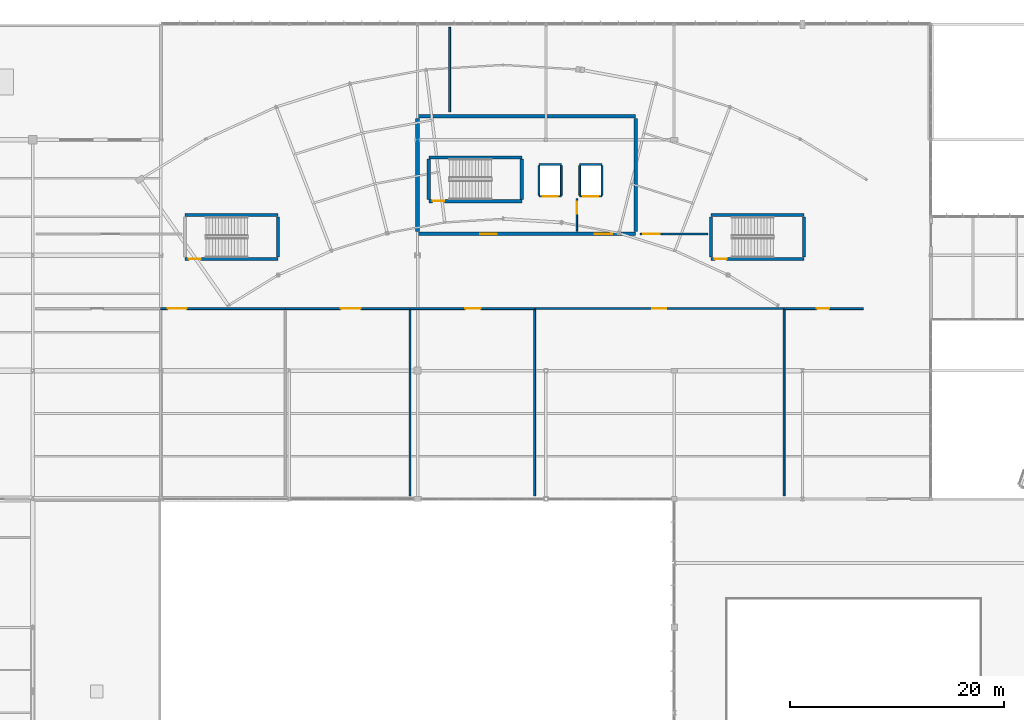
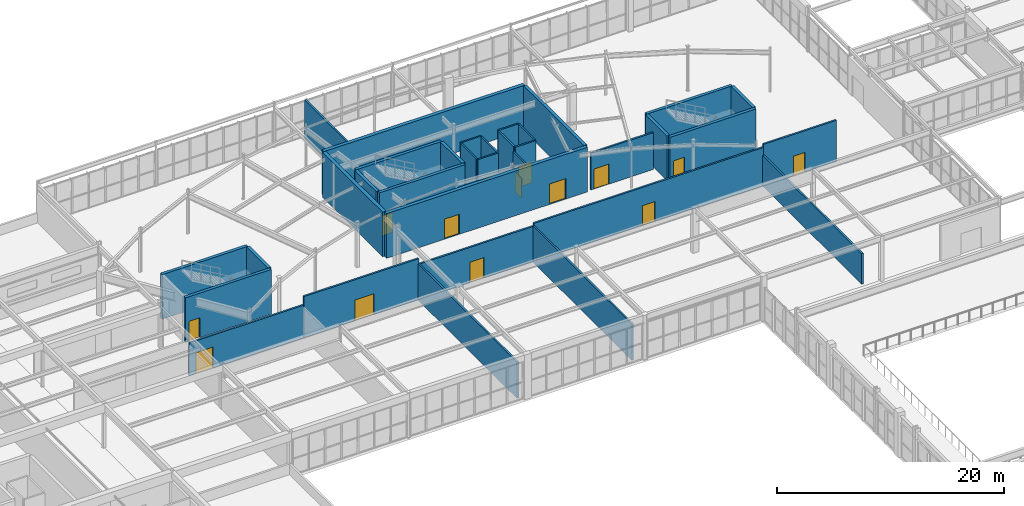
# One storey, part 160 of 186: 34 walls, 14 doors, 14 openings.
"""IFC4 building model written with IfcOpenShell, lengths in metres."""

from ifc_helpers import new_model, si_unit, direction, frame, frame_2d, origin, place, context, subcontext, project, spatial, rectangle, extrude, material, layer, layer_set, type_object, element, fill, save


model = new_model("IFC4")

# Units and contexts
model_context = context("Model", 3, precision=1e-05, world=origin(), true_north=direction((0.0, 1.0)))
body_context = subcontext(model_context, "Body", "Model", "MODEL_VIEW")
ifc_project = project(units=[si_unit("LENGTHUNIT", "METRE"), si_unit("AREAUNIT", "SQUARE_METRE"), si_unit("VOLUMEUNIT", "CUBIC_METRE"), si_unit("PLANEANGLEUNIT", "RADIAN"), si_unit("MASSUNIT", "GRAM", prefix="KILO")], contexts=[model_context])

# Site, building, storey
site_placement = place(None, origin())
site = spatial("IfcSite", under=ifc_project, at=site_placement, CompositionType="ELEMENT")
building_placement = place(site_placement, origin())
building = spatial("IfcBuilding", under=site, at=building_placement, Name="Tarnwether General Hospital", CompositionType="ELEMENT")
storey_placement = place(building_placement, frame((0.0, 0.0, 9.60009765625)))
storey = spatial("IfcBuildingStorey", under=building, at=storey_placement, Name="L02", CompositionType="ELEMENT", Elevation=9.60009765625)

# Wall, opening, door
ifc_material_1 = material(Name="Gypsum plasterboard")
ifc_layer_1 = layer(ifc_material_1, 0.159912109375)
ifc_layer_set_1 = layer_set([ifc_layer_1], Name="Gypsum plasterboard")
wall_type_1 = type_object("IfcWallType", Name="WL-PT160", PredefinedType="PARTITIONING", material=ifc_layer_set_1)
wall_1_placement = place(storey_placement, frame((95.360107421875, 109.909912109375, 0.0), z_axis=(0.0, 0.0, 1.0), x_axis=(1.0, 0.0, 0.0)))
wall_1 = element("IfcWall", 1, at=wall_1_placement, inside=storey, type_object=wall_type_1, Name="Lift L-01 Shaft Wall LSH-L-01-L02-S", PredefinedType="PARTITIONING", context=body_context, shape_type="SweptSolid", body=[
    extrude(rectangle(XDim=2.079833984375, YDim=0.159912109375, at=frame_2d((1.0400390625, 0.0))), origin(), (0.0, 0.0, 1.0), 4.429931640625),
])
opening_1_placement = place(wall_1_placement, frame((0.340087890625, 0.0, 0.0)))
opening_1 = element("IfcOpeningElement", 2, at=opening_1_placement, cuts=wall_1, Name="Opening LD-01", PredefinedType="OPENING", context=body_context, shape_type="SweptSolid", body=[
    extrude(rectangle(XDim=1.39990234375, YDim=2.199951171875, at=frame_2d((0.699951171875, 1.10009765625))), frame((0.0, 0.08984375, 0.0), z_axis=(0.0, -1.0, 0.0), x_axis=(1.0, 0.0, 0.0)), (0.0, 0.0, 1.0), 0.179931640625),
])
ifc_material_2 = material(Name="Anodised aluminium", Category="aluminium")
door_type_1 = type_object("IfcDoorType", Name="DR-LD01", OperationType="NOTDEFINED", PredefinedType="DOOR", material=ifc_material_2)
door_1_placement = place(opening_1_placement, origin())
door_1 = element("IfcDoor", 3, at=door_1_placement, inside=storey, type_object=door_type_1, Name="Lift L-01 Sliding Landing Door L02", OperationType="SLIDING_TO_RIGHT", OverallHeight=2.199951171875, OverallWidth=1.39990234375, PredefinedType="DOOR", context=body_context, shape_type="SweptSolid", body=[
    extrude(rectangle(XDim=1.39990234375, YDim=2.199951171875, at=frame_2d((0.699951171875, 1.10009765625))), frame((0.0, 0.02490234375, 0.0), z_axis=(0.0, -1.0, 0.0), x_axis=(1.0, 0.0, 0.0)), (0.0, 0.0, 1.0), 0.050048828125),
])
fill(opening_1, door_1)

# Walls
wall_2_placement = place(storey_placement, frame((97.43994140625, 112.889892578125, 0.0), z_axis=(0.0, 0.0, 1.0), x_axis=(-1.0, 0.0, 0.0)))
element("IfcWall", 4, at=wall_2_placement, inside=storey, type_object=wall_type_1, Name="Lift L-01 Shaft Wall LSH-L-01-L02-N", PredefinedType="PARTITIONING", context=body_context, shape_type="SweptSolid", body=[
    extrude(rectangle(XDim=2.079833984375, YDim=0.159912109375, at=frame_2d((1.0400390625, 0.0))), origin(), (0.0, 0.0, 1.0), 4.429931640625),
])
for number, where, z_axis, x_axis, name in (
    (5, (95.360107421875, 112.7900390625, 0.0), (0.0, 0.0, 1.0), (0.0, -1.0, 0.0), "Lift L-01 Shaft Wall LSH-L-01-L02-W"),
    (6, (97.43994140625, 110.010009765625, 0.0), (0.0, 0.0, 1.0), (0.0, 1.0, 0.0), "Lift L-01 Shaft Wall LSH-L-01-L02-E"),
):
    element("IfcWall", number, at=place(storey_placement, frame(where, z_axis=z_axis, x_axis=x_axis)), inside=storey, type_object=wall_type_1, Name=name, PredefinedType="PARTITIONING", context=body_context, shape_type="SweptSolid", body=[
        extrude(rectangle(XDim=2.780029296875, YDim=0.159912109375, at=frame_2d((1.39013671875, 0.0))), origin(), (0.0, 0.0, 1.0), 4.429931640625),
    ])

# Wall, opening, door
wall_3_placement = place(storey_placement, frame((99.159912109375, 109.909912109375, 0.0), z_axis=(0.0, 0.0, 1.0), x_axis=(1.0, 0.0, 0.0)))
wall_3 = element("IfcWall", 7, at=wall_3_placement, inside=storey, type_object=wall_type_1, Name="Lift L-03 Shaft Wall LSH-L-03-L02-S", PredefinedType="PARTITIONING", context=body_context, shape_type="SweptSolid", body=[
    extrude(rectangle(XDim=2.080078125, YDim=0.159912109375, at=frame_2d((1.0400390625, 0.0))), origin(), (0.0, 0.0, 1.0), 4.429931640625),
])
opening_2_placement = place(wall_3_placement, frame((0.340087890625, 0.0, 0.0)))
opening_2 = element("IfcOpeningElement", 8, at=opening_2_placement, cuts=wall_3, Name="Opening LD-01", PredefinedType="OPENING", context=body_context, shape_type="SweptSolid", body=[
    extrude(rectangle(XDim=1.39990234375, YDim=2.199951171875, at=frame_2d((0.699951171875, 1.10009765625))), frame((0.0, 0.08984375, 0.0), z_axis=(0.0, -1.0, 0.0), x_axis=(1.0, 0.0, 0.0)), (0.0, 0.0, 1.0), 0.179931640625),
])
door_2_placement = place(opening_2_placement, origin())
door_2 = element("IfcDoor", 9, at=door_2_placement, inside=storey, type_object=door_type_1, Name="Lift L-03 Sliding Landing Door L02", OperationType="SLIDING_TO_RIGHT", OverallHeight=2.199951171875, OverallWidth=1.39990234375, PredefinedType="DOOR", context=body_context, shape_type="SweptSolid", body=[
    extrude(rectangle(XDim=1.39990234375, YDim=2.199951171875, at=frame_2d((0.699951171875, 1.10009765625))), frame((0.0, 0.02490234375, 0.0), z_axis=(0.0, -1.0, 0.0), x_axis=(1.0, 0.0, 0.0)), (0.0, 0.0, 1.0), 0.050048828125),
])
fill(opening_2, door_2)

# Walls
wall_4_placement = place(storey_placement, frame((101.239990234375, 112.889892578125, 0.0), z_axis=(0.0, 0.0, 1.0), x_axis=(-1.0, 0.0, 0.0)))
element("IfcWall", 10, at=wall_4_placement, inside=storey, type_object=wall_type_1, Name="Lift L-03 Shaft Wall LSH-L-03-L02-N", PredefinedType="PARTITIONING", context=body_context, shape_type="SweptSolid", body=[
    extrude(rectangle(XDim=2.080078125, YDim=0.159912109375, at=frame_2d((1.0400390625, 0.0))), origin(), (0.0, 0.0, 1.0), 4.429931640625),
])
for number, where, z_axis, x_axis, name in (
    (11, (99.159912109375, 112.7900390625, 0.0), (0.0, 0.0, 1.0), (0.0, -1.0, 0.0), "Lift L-03 Shaft Wall LSH-L-03-L02-W"),
    (12, (101.239990234375, 110.010009765625, 0.0), (0.0, 0.0, 1.0), (0.0, 1.0, 0.0), "Lift L-03 Shaft Wall LSH-L-03-L02-E"),
):
    element("IfcWall", number, at=place(storey_placement, frame(where, z_axis=z_axis, x_axis=x_axis)), inside=storey, type_object=wall_type_1, Name=name, PredefinedType="PARTITIONING", context=body_context, shape_type="SweptSolid", body=[
        extrude(rectangle(XDim=2.780029296875, YDim=0.159912109375, at=frame_2d((1.39013671875, 0.0))), origin(), (0.0, 0.0, 1.0), 4.429931640625),
    ])

# Wall, opening, door
wall_5_placement = place(storey_placement, frame((98.89990234375, 106.64990234375, 0.0), z_axis=(0.0, 0.0, 1.0), x_axis=(0.0, 1.0, 0.0)))
wall_5 = element("IfcWall", 13, at=wall_5_placement, inside=storey, type_object=wall_type_1, Name="Firefighting Lobby Divider K1 L02", PredefinedType="PARTITIONING", context=body_context, shape_type="SweptSolid", body=[
    extrude(rectangle(XDim=3.050048828125, YDim=0.159912109375, at=frame_2d((1.52490234375, 0.0))), origin(), (0.0, 0.0, 1.0), 4.164794921875),
])
opening_3_placement = place(wall_5_placement, frame((1.6298828125, 0.0, 0.0)))
opening_3 = element("IfcOpeningElement", 14, at=opening_3_placement, cuts=wall_5, Name="Opening FD-06", PredefinedType="OPENING", context=body_context, shape_type="SweptSolid", body=[
    extrude(rectangle(XDim=1.10009765625, YDim=2.14990234375, at=frame_2d((0.550048828125, 1.074951171875))), frame((0.0, 0.08984375, 0.0), z_axis=(0.0, -1.0, 0.0), x_axis=(1.0, 0.0, 0.0)), (0.0, 0.0, 1.0), 0.179931640625),
])
ifc_material_3 = material(Name="Anodised aluminium", Category="aluminium")
door_type_2 = type_object("IfcDoorType", Name="DR-FD06", OperationType="NOTDEFINED", PredefinedType="DOOR", material=ifc_material_3)
door_3_placement = place(opening_3_placement, origin())
door_3 = element("IfcDoor", 15, at=door_3_placement, inside=storey, type_object=door_type_2, Name="Core K1 Inter-Lobby Smoke Door L02", OperationType="SINGLE_SWING_RIGHT", OverallHeight=2.14990234375, OverallWidth=1.10009765625, PredefinedType="DOOR", context=body_context, shape_type="SweptSolid", body=[
    extrude(rectangle(XDim=1.10009765625, YDim=2.14990234375, at=frame_2d((0.550048828125, 1.074951171875))), frame((0.0, 0.02490234375, 0.0), z_axis=(0.0, -1.0, 0.0), x_axis=(1.0, 0.0, 0.0)), (0.0, 0.0, 1.0), 0.050048828125),
])
fill(opening_3, door_3)

ifc_material_4 = material(Name="Gypsum plasterboard")
ifc_layer_2 = layer(ifc_material_4, 0.179931640625)
ifc_layer_set_2 = layer_set([ifc_layer_2], Name="Gypsum plasterboard")
wall_type_2 = type_object("IfcWallType", Name="WL-PT180", PredefinedType="PARTITIONING", material=ifc_layer_set_2)
wall_6_placement = place(storey_placement, frame((59.962890625, 99.39990234375, 0.0), z_axis=(0.0, 0.0, 1.0), x_axis=(1.0, 0.0, 0.0)))
wall_6 = element("IfcWall", 16, at=wall_6_placement, inside=storey, type_object=wall_type_2, Name="Interior Partition PT-L02-0258", PredefinedType="PARTITIONING", context=body_context, shape_type="SweptSolid", body=[
    extrude(rectangle(XDim=11.6630859375, YDim=0.179931640625, at=frame_2d((5.83154296875, 0.0))), origin(), (0.0, 0.0, 1.0), 3.514892578125),
])
opening_4_placement = place(wall_6_placement, frame((0.677001953125, 0.0, 0.0)))
opening_4 = element("IfcOpeningElement", 17, at=opening_4_placement, cuts=wall_6, Name="Opening FD-07", PredefinedType="OPENING", context=body_context, shape_type="SweptSolid", body=[
    extrude(rectangle(XDim=1.75, YDim=2.25, at=frame_2d((0.875, 1.125))), frame((0.0, 0.10009765625, 0.0), z_axis=(0.0, -1.0, 0.0), x_axis=(1.0, 0.0, 0.0)), (0.0, 0.0, 1.0), 0.199951171875),
])
ifc_material_5 = material(Name="Anodised aluminium", Category="aluminium")
door_type_3 = type_object("IfcDoorType", Name="DR-FD07", OperationType="NOTDEFINED", PredefinedType="DOOR", material=ifc_material_5)
door_4_placement = place(opening_4_placement, origin())
door_4 = element("IfcDoor", 18, at=door_4_placement, inside=storey, type_object=door_type_3, Name="Interior Door DR-L02-0143", OperationType="DOUBLE_DOOR_SINGLE_SWING", OverallHeight=2.25, OverallWidth=1.75, PredefinedType="DOOR", context=body_context, shape_type="SweptSolid", body=[
    extrude(rectangle(XDim=1.75, YDim=2.25, at=frame_2d((0.875, 1.125))), frame((0.0, 0.02490234375, 0.0), z_axis=(0.0, -1.0, 0.0), x_axis=(1.0, 0.0, 0.0)), (0.0, 0.0, 1.0), 0.050048828125),
])
fill(opening_4, door_4)

wall_7_placement = place(storey_placement, frame((71.6259765625, 99.39990234375, 0.0), z_axis=(0.0, 0.0, 1.0), x_axis=(1.0, 0.0, 0.0)))
wall_7 = element("IfcWall", 19, at=wall_7_placement, inside=storey, type_object=wall_type_2, Name="Interior Partition PT-L02-0260", PredefinedType="PARTITIONING", context=body_context, shape_type="SweptSolid", body=[
    extrude(rectangle(XDim=11.6630859375, YDim=0.179931640625, at=frame_2d((5.83154296875, 0.0))), origin(), (0.0, 0.0, 1.0), 4.429931640625),
])
opening_5_placement = place(wall_7_placement, frame((5.181884765625, 0.0, 0.0)))
opening_5 = element("IfcOpeningElement", 20, at=opening_5_placement, cuts=wall_7, Name="Opening FD-08", PredefinedType="OPENING", context=body_context, shape_type="SweptSolid", body=[
    extrude(rectangle(XDim=1.89990234375, YDim=2.25, at=frame_2d((0.949951171875, 1.125))), frame((0.0, 0.10009765625, 0.0), z_axis=(0.0, -1.0, 0.0), x_axis=(1.0, 0.0, 0.0)), (0.0, 0.0, 1.0), 0.199951171875),
])
ifc_material_6 = material(Name="Anodised aluminium", Category="aluminium")
door_type_4 = type_object("IfcDoorType", Name="DR-FD08", OperationType="NOTDEFINED", PredefinedType="DOOR", material=ifc_material_6)
door_5_placement = place(opening_5_placement, origin())
door_5 = element("IfcDoor", 21, at=door_5_placement, inside=storey, type_object=door_type_4, Name="Interior Door DR-L02-0144", OperationType="DOUBLE_DOOR_SINGLE_SWING", OverallHeight=2.25, OverallWidth=1.89990234375, PredefinedType="DOOR", context=body_context, shape_type="SweptSolid", body=[
    extrude(rectangle(XDim=1.89990234375, YDim=2.25, at=frame_2d((0.949951171875, 1.125))), frame((0.0, 0.02490234375, 0.0), z_axis=(0.0, -1.0, 0.0), x_axis=(1.0, 0.0, 0.0)), (0.0, 0.0, 1.0), 0.050048828125),
])
fill(opening_5, door_5)

# Wall
wall_8_placement = place(storey_placement, frame((83.2890625, 81.89990234375, 0.0), z_axis=(0.0, 0.0, 1.0), x_axis=(0.0, 1.0, 0.0)))
element("IfcWall", 22, at=wall_8_placement, inside=storey, type_object=wall_type_2, Name="Interior Partition PT-L02-0261", PredefinedType="PARTITIONING", context=body_context, shape_type="SweptSolid", body=[
    extrude(rectangle(XDim=17.5, YDim=0.179931640625, at=frame_2d((8.75, 0.0))), origin(), (0.0, 0.0, 1.0), 3.885009765625),
])

# Wall, opening, door
wall_9_placement = place(storey_placement, frame((83.2890625, 99.39990234375, 0.0), z_axis=(0.0, 0.0, 1.0), x_axis=(1.0, 0.0, 0.0)))
wall_9 = element("IfcWall", 23, at=wall_9_placement, inside=storey, type_object=wall_type_2, Name="Interior Partition PT-L02-0262", PredefinedType="PARTITIONING", context=body_context, shape_type="SweptSolid", body=[
    extrude(rectangle(XDim=11.662841796875, YDim=0.179931640625, at=frame_2d((5.83154296875, 0.0))), origin(), (0.0, 0.0, 1.0), 3.81298828125),
])
opening_6_placement = place(wall_9_placement, frame((5.181884765625, 0.0, 0.0)))
opening_6 = element("IfcOpeningElement", 24, at=opening_6_placement, cuts=wall_9, Name="Opening D-01", PredefinedType="OPENING", context=body_context, shape_type="SweptSolid", body=[
    extrude(rectangle(XDim=1.419921875, YDim=2.219970703125, at=frame_2d((0.7099609375, 1.10986328125))), frame((0.0, 0.10009765625, 0.0), z_axis=(0.0, -1.0, 0.0), x_axis=(1.0, 0.0, 0.0)), (0.0, 0.0, 1.0), 0.199951171875),
])
ifc_material_7 = material(Name="Anodised aluminium", Category="aluminium")
door_type_5 = type_object("IfcDoorType", Name="DR-IN01", OperationType="NOTDEFINED", PredefinedType="DOOR", material=ifc_material_7)
door_6_placement = place(opening_6_placement, origin())
door_6 = element("IfcDoor", 25, at=door_6_placement, inside=storey, type_object=door_type_5, Name="Interior Door DR-L02-0145", OperationType="SINGLE_SWING_LEFT", OverallHeight=2.219970703125, OverallWidth=1.419921875, PredefinedType="DOOR", context=body_context, shape_type="SweptSolid", body=[
    extrude(rectangle(XDim=1.419921875, YDim=2.219970703125, at=frame_2d((0.7099609375, 1.10986328125))), frame((0.0, 0.02490234375, 0.0), z_axis=(0.0, -1.0, 0.0), x_axis=(1.0, 0.0, 0.0)), (0.0, 0.0, 1.0), 0.050048828125),
])
fill(opening_6, door_6)

# Wall
wall_10_placement = place(storey_placement, frame((94.951904296875, 81.89990234375, 0.0), z_axis=(0.0, 0.0, 1.0), x_axis=(0.0, 1.0, 0.0)))
element("IfcWall", 26, at=wall_10_placement, inside=storey, type_object=wall_type_2, Name="Interior Partition PT-L02-0263", PredefinedType="PARTITIONING", context=body_context, shape_type="SweptSolid", body=[
    extrude(rectangle(XDim=17.5, YDim=0.179931640625, at=frame_2d((8.75, 0.0))), origin(), (0.0, 0.0, 1.0), 3.885009765625),
])

# Wall, opening, door
wall_11_placement = place(storey_placement, frame((94.951904296875, 99.39990234375, 0.0), z_axis=(0.0, 0.0, 1.0), x_axis=(1.0, 0.0, 0.0)))
wall_11 = element("IfcWall", 27, at=wall_11_placement, inside=storey, type_object=wall_type_2, Name="Interior Partition PT-L02-0264", PredefinedType="PARTITIONING", context=body_context, shape_type="SweptSolid", body=[
    extrude(rectangle(XDim=23.326171875, YDim=0.179931640625, at=frame_2d((11.6630859375, 0.0))), origin(), (0.0, 0.0, 1.0), 4.114990234375),
])
opening_7_placement = place(wall_11_placement, frame((11.012939453125, 0.0, 0.0)))
opening_7 = element("IfcOpeningElement", 28, at=opening_7_placement, cuts=wall_11, Name="Opening D-03", PredefinedType="OPENING", context=body_context, shape_type="SweptSolid", body=[
    extrude(rectangle(XDim=1.300048828125, YDim=2.159912109375, at=frame_2d((0.64990234375, 1.080078125))), frame((0.0, 0.10009765625, 0.0), z_axis=(0.0, -1.0, 0.0), x_axis=(1.0, 0.0, 0.0)), (0.0, 0.0, 1.0), 0.199951171875),
])
ifc_material_8 = material(Name="Anodised aluminium", Category="aluminium")
door_type_6 = type_object("IfcDoorType", Name="DR-IN03", OperationType="NOTDEFINED", PredefinedType="DOOR", material=ifc_material_8)
door_7_placement = place(opening_7_placement, origin())
door_7 = element("IfcDoor", 29, at=door_7_placement, inside=storey, type_object=door_type_6, Name="Interior Door DR-L02-0146", OperationType="SINGLE_SWING_RIGHT", OverallHeight=2.159912109375, OverallWidth=1.300048828125, PredefinedType="DOOR", context=body_context, shape_type="SweptSolid", body=[
    extrude(rectangle(XDim=1.300048828125, YDim=2.159912109375, at=frame_2d((0.64990234375, 1.080078125))), frame((0.0, 0.02490234375, 0.0), z_axis=(0.0, -1.0, 0.0), x_axis=(1.0, 0.0, 0.0)), (0.0, 0.0, 1.0), 0.050048828125),
])
fill(opening_7, door_7)

# Wall
wall_12_placement = place(storey_placement, frame((118.278076171875, 81.89990234375, 0.0), z_axis=(0.0, 0.0, 1.0), x_axis=(0.0, 1.0, 0.0)))
element("IfcWall", 30, at=wall_12_placement, inside=storey, type_object=wall_type_2, Name="Interior Partition PT-L02-0265", PredefinedType="PARTITIONING", context=body_context, shape_type="SweptSolid", body=[
    extrude(rectangle(XDim=17.5, YDim=0.179931640625, at=frame_2d((8.75, 0.0))), origin(), (0.0, 0.0, 1.0), 3.284912109375),
])

# Wall, opening, door
wall_13_placement = place(storey_placement, frame((118.278076171875, 99.39990234375, 0.0), z_axis=(0.0, 0.0, 1.0), x_axis=(1.0, 0.0, 0.0)))
wall_13 = element("IfcWall", 31, at=wall_13_placement, inside=storey, type_object=wall_type_2, Name="Interior Partition PT-L02-0266", PredefinedType="PARTITIONING", context=body_context, shape_type="SweptSolid", body=[
    extrude(rectangle(XDim=7.421875, YDim=0.179931640625, at=frame_2d((3.7109375, 0.0))), origin(), (0.0, 0.0, 1.0), 4.429931640625),
])
opening_8_placement = place(wall_13_placement, frame((3.06103515625, 0.0, 0.0)))
opening_8 = element("IfcOpeningElement", 32, at=opening_8_placement, cuts=wall_13, Name="Opening D-06", PredefinedType="OPENING", context=body_context, shape_type="SweptSolid", body=[
    extrude(rectangle(XDim=1.159912109375, YDim=2.10009765625, at=frame_2d((0.580078125, 1.050048828125))), frame((0.0, 0.10009765625, 0.0), z_axis=(0.0, -1.0, 0.0), x_axis=(1.0, 0.0, 0.0)), (0.0, 0.0, 1.0), 0.199951171875),
])
ifc_material_9 = material(Name="Anodised aluminium", Category="aluminium")
door_type_7 = type_object("IfcDoorType", Name="DR-IN06", OperationType="NOTDEFINED", PredefinedType="DOOR", material=ifc_material_9)
door_8_placement = place(opening_8_placement, origin())
door_8 = element("IfcDoor", 33, at=door_8_placement, inside=storey, type_object=door_type_7, Name="Interior Door DR-L02-0147", OperationType="SINGLE_SWING_LEFT", OverallHeight=2.10009765625, OverallWidth=1.159912109375, PredefinedType="DOOR", context=body_context, shape_type="SweptSolid", body=[
    extrude(rectangle(XDim=1.159912109375, YDim=2.10009765625, at=frame_2d((0.580078125, 1.050048828125))), frame((0.0, 0.02490234375, 0.0), z_axis=(0.0, -1.0, 0.0), x_axis=(1.0, 0.0, 0.0)), (0.0, 0.0, 1.0), 0.050048828125),
])
fill(opening_8, door_8)

# Wall
wall_14_placement = place(storey_placement, frame((87.0, 117.800048828125, 0.0), z_axis=(0.0, 0.0, 1.0), x_axis=(0.0, 1.0, 0.0)))
element("IfcWall", 34, at=wall_14_placement, inside=storey, type_object=wall_type_2, Name="Interior Partition PT-L02-0268", PredefinedType="PARTITIONING", context=body_context, shape_type="SweptSolid", body=[
    extrude(rectangle(XDim=7.89990234375, YDim=0.179931640625, at=frame_2d((3.949951171875, 0.0))), origin(), (0.0, 0.0, 1.0), 4.2119140625),
])

# Wall, opening, door
wall_15_placement = place(storey_placement, frame((104.800048828125, 106.39990234375, 0.0), z_axis=(0.0, 0.0, 1.0), x_axis=(1.0, 0.0, 0.0)))
wall_15 = element("IfcWall", 35, at=wall_15_placement, inside=storey, type_object=wall_type_2, Name="Interior Partition PT-L02-0269", PredefinedType="PARTITIONING", context=body_context, shape_type="SweptSolid", body=[
    extrude(rectangle(XDim=6.349853515625, YDim=0.179931640625, at=frame_2d((3.1748046875, 0.0))), origin(), (0.0, 0.0, 1.0), 3.9580078125),
])
opening_9_placement = place(wall_15_placement, frame((0.320068359375, 0.0, 0.0)))
opening_9 = element("IfcOpeningElement", 36, at=opening_9_placement, cuts=wall_15, Name="Opening FD-02", PredefinedType="OPENING", context=body_context, shape_type="SweptSolid", body=[
    extrude(rectangle(XDim=1.52001953125, YDim=2.159912109375, at=frame_2d((0.760009765625, 1.080078125))), frame((0.0, 0.10009765625, 0.0), z_axis=(0.0, -1.0, 0.0), x_axis=(1.0, 0.0, 0.0)), (0.0, 0.0, 1.0), 0.199951171875),
])
ifc_material_10 = material(Name="Anodised aluminium", Category="aluminium")
door_type_8 = type_object("IfcDoorType", Name="DR-FD02", OperationType="NOTDEFINED", PredefinedType="DOOR", material=ifc_material_10)
door_9_placement = place(opening_9_placement, origin())
door_9 = element("IfcDoor", 37, at=door_9_placement, inside=storey, type_object=door_type_8, Name="Interior Door DR-L02-0149", OperationType="SINGLE_SWING_LEFT", OverallHeight=2.159912109375, OverallWidth=1.52001953125, PredefinedType="DOOR", context=body_context, shape_type="SweptSolid", body=[
    extrude(rectangle(XDim=1.52001953125, YDim=2.159912109375, at=frame_2d((0.760009765625, 1.080078125))), frame((0.0, 0.02490234375, 0.0), z_axis=(0.0, -1.0, 0.0), x_axis=(1.0, 0.0, 0.0)), (0.0, 0.0, 1.0), 0.050048828125),
])
fill(opening_9, door_9)

# Wall
ifc_material_11 = material(Name="Concrete 50 MPa", Category="concrete")
ifc_layer_3 = layer(ifc_material_11, 0.300048828125)
ifc_layer_set_3 = layer_set([ifc_layer_3], Name="Concrete 50 MPa")
wall_type_3 = type_object("IfcWallType", Name="WL-SW300", PredefinedType="SHEAR", material=ifc_layer_set_3)
wall_16_placement = place(storey_placement, frame((104.39990234375, 117.199951171875, 0.0), z_axis=(0.0, 0.0, 1.0), x_axis=(0.0, -1.0, 0.0)))
element("IfcWall", 38, at=wall_16_placement, inside=storey, type_object=wall_type_3, Name="Core Shear Wall CWALL-K1-L02-E", PredefinedType="SHEAR", context=body_context, shape_type="SweptSolid", body=[
    extrude(rectangle(XDim=10.599853515625, YDim=0.300048828125, at=frame_2d((5.2998046875, 0.0))), origin(), (0.0, 0.0, 1.0), 4.7998046875),
])

# Wall, opening, door
wall_17_placement = place(storey_placement, frame((85.050048828125, 109.449951171875, 0.0), z_axis=(0.0, 0.0, 1.0), x_axis=(1.0, 0.0, 0.0)))
wall_17 = element("IfcWall", 39, at=wall_17_placement, inside=storey, type_object=wall_type_3, Name="Stairwell Shear Wall STW-ST-01-L02-B", PredefinedType="SHEAR", context=body_context, shape_type="SweptSolid", body=[
    extrude(rectangle(XDim=8.699951171875, YDim=0.300048828125, at=frame_2d((4.35009765625, 0.0))), origin(), (0.0, 0.0, 1.0), 4.7998046875),
])
opening_10_placement = place(wall_17_placement, frame((0.35009765625, 0.0, 0.0)))
opening_10 = element("IfcOpeningElement", 40, at=opening_10_placement, cuts=wall_17, Name="Opening FD-06", PredefinedType="OPENING", context=body_context, shape_type="SweptSolid", body=[
    extrude(rectangle(XDim=1.10009765625, YDim=2.14990234375, at=frame_2d((0.550048828125, 1.074951171875))), frame((0.0, 0.16015625, 0.0), z_axis=(0.0, -1.0, 0.0), x_axis=(1.0, 0.0, 0.0)), (0.0, 0.0, 1.0), 0.320068359375),
])
door_10_placement = place(opening_10_placement, origin())
door_10 = element("IfcDoor", 41, at=door_10_placement, inside=storey, type_object=door_type_2, Name="Stairwell ST-01 Safe-Path Fire Door L02", OperationType="SINGLE_SWING_LEFT", OverallHeight=2.14990234375, OverallWidth=1.10009765625, PredefinedType="DOOR", context=body_context, shape_type="SweptSolid", body=[
    extrude(rectangle(XDim=1.10009765625, YDim=2.14990234375, at=frame_2d((0.550048828125, 1.074951171875))), frame((0.0, 0.02490234375, 0.0), z_axis=(0.0, -1.0, 0.0), x_axis=(1.0, 0.0, 0.0)), (0.0, 0.0, 1.0), 0.050048828125),
])
fill(opening_10, door_10)

# Walls
wall_18_placement = place(storey_placement, frame((93.75, 113.550048828125, 0.0), z_axis=(0.0, 0.0, 1.0), x_axis=(-1.0, 0.0, 0.0)))
element("IfcWall", 42, at=wall_18_placement, inside=storey, type_object=wall_type_3, Name="Stairwell Shear Wall STW-ST-01-L02-N", PredefinedType="SHEAR", context=body_context, shape_type="SweptSolid", body=[
    extrude(rectangle(XDim=8.699951171875, YDim=0.300048828125, at=frame_2d((4.35009765625, 0.0))), origin(), (0.0, 0.0, 1.0), 4.7998046875),
])
for number, where, z_axis, x_axis, name in (
    (43, (85.050048828125, 109.6201171875, 0.0), (0.0, 0.0, 1.0), (0.0, 1.0, 0.0), "Stairwell Shear Wall STW-ST-01-L02-L"),
    (44, (93.75, 109.6201171875, 0.0), (0.0, 0.0, 1.0), (0.0, 1.0, 0.0), "Stairwell Shear Wall STW-ST-01-L02-F"),
):
    element("IfcWall", number, at=place(storey_placement, frame(where, z_axis=z_axis, x_axis=x_axis)), inside=storey, type_object=wall_type_3, Name=name, PredefinedType="SHEAR", context=body_context, shape_type="SweptSolid", body=[
        extrude(rectangle(XDim=3.759765625, YDim=0.300048828125, at=frame_2d((1.8798828125, 0.0))), origin(), (0.0, 0.0, 1.0), 4.7998046875),
    ])

# Wall, opening, door
wall_19_placement = place(storey_placement, frame((62.25, 104.050048828125, 0.0), z_axis=(0.0, 0.0, 1.0), x_axis=(1.0, 0.0, 0.0)))
wall_19 = element("IfcWall", 45, at=wall_19_placement, inside=storey, type_object=wall_type_3, Name="Stairwell Shear Wall STW-ST-07-L02-B", PredefinedType="SHEAR", context=body_context, shape_type="SweptSolid", body=[
    extrude(rectangle(XDim=8.699951171875, YDim=0.300048828125, at=frame_2d((4.35009765625, 0.0))), origin(), (0.0, 0.0, 1.0), 4.7998046875),
])
opening_11_placement = place(wall_19_placement, frame((0.35009765625, 0.0, 0.0)))
opening_11 = element("IfcOpeningElement", 46, at=opening_11_placement, cuts=wall_19, Name="Opening FD-06", PredefinedType="OPENING", context=body_context, shape_type="SweptSolid", body=[
    extrude(rectangle(XDim=1.10009765625, YDim=2.14990234375, at=frame_2d((0.550048828125, 1.074951171875))), frame((0.0, 0.16015625, 0.0), z_axis=(0.0, -1.0, 0.0), x_axis=(1.0, 0.0, 0.0)), (0.0, 0.0, 1.0), 0.320068359375),
])
door_11_placement = place(opening_11_placement, origin())
door_11 = element("IfcDoor", 47, at=door_11_placement, inside=storey, type_object=door_type_2, Name="Stairwell ST-07 Safe-Path Fire Door L02", OperationType="SINGLE_SWING_RIGHT", OverallHeight=2.14990234375, OverallWidth=1.10009765625, PredefinedType="DOOR", context=body_context, shape_type="SweptSolid", body=[
    extrude(rectangle(XDim=1.10009765625, YDim=2.14990234375, at=frame_2d((0.550048828125, 1.074951171875))), frame((0.0, 0.02490234375, 0.0), z_axis=(0.0, -1.0, 0.0), x_axis=(1.0, 0.0, 0.0)), (0.0, 0.0, 1.0), 0.050048828125),
])
fill(opening_11, door_11)

# Walls
wall_20_placement = place(storey_placement, frame((70.949951171875, 108.14990234375, 0.0), z_axis=(0.0, 0.0, 1.0), x_axis=(-1.0, 0.0, 0.0)))
element("IfcWall", 48, at=wall_20_placement, inside=storey, type_object=wall_type_3, Name="Stairwell Shear Wall STW-ST-07-L02-N", PredefinedType="SHEAR", context=body_context, shape_type="SweptSolid", body=[
    extrude(rectangle(XDim=8.699951171875, YDim=0.300048828125, at=frame_2d((4.35009765625, 0.0))), origin(), (0.0, 0.0, 1.0), 4.7998046875),
])
wall_21_placement = place(storey_placement, frame((70.949951171875, 104.219970703125, 0.0), z_axis=(0.0, 0.0, 1.0), x_axis=(0.0, 1.0, 0.0)))
element("IfcWall", 49, at=wall_21_placement, inside=storey, type_object=wall_type_3, Name="Stairwell Shear Wall STW-ST-07-L02-F", PredefinedType="SHEAR", context=body_context, shape_type="SweptSolid", body=[
    extrude(rectangle(XDim=3.760009765625, YDim=0.300048828125, at=frame_2d((1.8798828125, 0.0))), origin(), (0.0, 0.0, 1.0), 4.7998046875),
])

# Wall, opening, door
wall_22_placement = place(storey_placement, frame((111.449951171875, 104.050048828125, 0.0), z_axis=(0.0, 0.0, 1.0), x_axis=(1.0, 0.0, 0.0)))
wall_22 = element("IfcWall", 50, at=wall_22_placement, inside=storey, type_object=wall_type_3, Name="Stairwell Shear Wall STW-ST-08-L02-B", PredefinedType="SHEAR", context=body_context, shape_type="SweptSolid", body=[
    extrude(rectangle(XDim=8.699951171875, YDim=0.300048828125, at=frame_2d((4.35009765625, 0.0))), origin(), (0.0, 0.0, 1.0), 4.7998046875),
])
opening_12_placement = place(wall_22_placement, frame((0.35009765625, 0.0, 0.0)))
opening_12 = element("IfcOpeningElement", 51, at=opening_12_placement, cuts=wall_22, Name="Opening FD-06", PredefinedType="OPENING", context=body_context, shape_type="SweptSolid", body=[
    extrude(rectangle(XDim=1.10009765625, YDim=2.14990234375, at=frame_2d((0.550048828125, 1.074951171875))), frame((0.0, 0.16015625, 0.0), z_axis=(0.0, -1.0, 0.0), x_axis=(1.0, 0.0, 0.0)), (0.0, 0.0, 1.0), 0.320068359375),
])
door_12_placement = place(opening_12_placement, origin())
door_12 = element("IfcDoor", 52, at=door_12_placement, inside=storey, type_object=door_type_2, Name="Stairwell ST-08 Safe-Path Fire Door L02", OperationType="SINGLE_SWING_RIGHT", OverallHeight=2.14990234375, OverallWidth=1.10009765625, PredefinedType="DOOR", context=body_context, shape_type="SweptSolid", body=[
    extrude(rectangle(XDim=1.10009765625, YDim=2.14990234375, at=frame_2d((0.550048828125, 1.074951171875))), frame((0.0, 0.02490234375, 0.0), z_axis=(0.0, -1.0, 0.0), x_axis=(1.0, 0.0, 0.0)), (0.0, 0.0, 1.0), 0.050048828125),
])
fill(opening_12, door_12)

# Walls
wall_23_placement = place(storey_placement, frame((120.14990234375, 108.14990234375, 0.0), z_axis=(0.0, 0.0, 1.0), x_axis=(-1.0, 0.0, 0.0)))
element("IfcWall", 53, at=wall_23_placement, inside=storey, type_object=wall_type_3, Name="Stairwell Shear Wall STW-ST-08-L02-N", PredefinedType="SHEAR", context=body_context, shape_type="SweptSolid", body=[
    extrude(rectangle(XDim=8.699951171875, YDim=0.300048828125, at=frame_2d((4.35009765625, 0.0))), origin(), (0.0, 0.0, 1.0), 4.7998046875),
])
for number, where, z_axis, x_axis, name in (
    (54, (111.449951171875, 104.219970703125, 0.0), (0.0, 0.0, 1.0), (0.0, 1.0, 0.0), "Stairwell Shear Wall STW-ST-08-L02-L"),
    (55, (120.14990234375, 104.219970703125, 0.0), (0.0, 0.0, 1.0), (0.0, 1.0, 0.0), "Stairwell Shear Wall STW-ST-08-L02-F"),
):
    element("IfcWall", number, at=place(storey_placement, frame(where, z_axis=z_axis, x_axis=x_axis)), inside=storey, type_object=wall_type_3, Name=name, PredefinedType="SHEAR", context=body_context, shape_type="SweptSolid", body=[
        extrude(rectangle(XDim=3.760009765625, YDim=0.300048828125, at=frame_2d((1.8798828125, 0.0))), origin(), (0.0, 0.0, 1.0), 4.7998046875),
    ])
ifc_material_12 = material(Name="Concrete 50 MPa", Category="concrete")
ifc_layer_4 = layer(ifc_material_12, 0.35009765625)
ifc_layer_set_4 = layer_set([ifc_layer_4], Name="Concrete 50 MPa")
wall_type_4 = type_object("IfcWallType", Name="WL-SW350", PredefinedType="SHEAR", material=ifc_layer_set_4)
wall_24_placement = place(storey_placement, frame((84.0, 117.39990234375, 0.0), z_axis=(0.0, 0.0, 1.0), x_axis=(1.0, 0.0, 0.0)))
element("IfcWall", 56, at=wall_24_placement, inside=storey, type_object=wall_type_4, Name="Core Shear Wall CWALL-K1-L02-N", PredefinedType="SHEAR", context=body_context, shape_type="SweptSolid", body=[
    extrude(rectangle(XDim=20.39990234375, YDim=0.35009765625, at=frame_2d((10.199951171875, 0.0))), origin(), (0.0, 0.0, 1.0), 4.7998046875),
])

# Wall, openings, doors
wall_25_placement = place(storey_placement, frame((104.39990234375, 106.39990234375, 0.0), z_axis=(0.0, 0.0, 1.0), x_axis=(-1.0, 0.0, 0.0)))
wall_25 = element("IfcWall", 57, at=wall_25_placement, inside=storey, type_object=wall_type_4, Name="Core Shear Wall CWALL-K1-L02-S", PredefinedType="SHEAR", context=body_context, shape_type="SweptSolid", body=[
    extrude(rectangle(XDim=20.39990234375, YDim=0.35009765625, at=frame_2d((10.199951171875, 0.0))), origin(), (0.0, 0.0, 1.0), 4.7998046875),
])
opening_13_placement = place(wall_25_placement, frame((2.199951171875, 0.0, 0.0)))
opening_13 = element("IfcOpeningElement", 58, at=opening_13_placement, cuts=wall_25, Name="Opening FD-01", PredefinedType="OPENING", context=body_context, shape_type="SweptSolid", body=[
    extrude(rectangle(XDim=1.639892578125, YDim=2.199951171875, at=frame_2d((0.81982421875, 1.10009765625))), frame((0.0, 0.18505859375, 0.0), z_axis=(0.0, -1.0, 0.0), x_axis=(1.0, 0.0, 0.0)), (0.0, 0.0, 1.0), 0.3701171875),
])
opening_14_placement = place(wall_25_placement, frame((13.0, 0.0, 0.0)))
opening_14 = element("IfcOpeningElement", 59, at=opening_14_placement, cuts=wall_25, Name="Opening FD-02", PredefinedType="OPENING", context=body_context, shape_type="SweptSolid", body=[
    extrude(rectangle(XDim=1.52001953125, YDim=2.159912109375, at=frame_2d((0.760009765625, 1.080078125))), frame((0.0, 0.18505859375, 0.0), z_axis=(0.0, -1.0, 0.0), x_axis=(1.0, 0.0, 0.0)), (0.0, 0.0, 1.0), 0.3701171875),
])
ifc_material_13 = material(Name="Anodised aluminium", Category="aluminium")
door_type_9 = type_object("IfcDoorType", Name="DR-FD01", OperationType="NOTDEFINED", PredefinedType="DOOR", material=ifc_material_13)
door_13_placement = place(opening_13_placement, origin())
door_13 = element("IfcDoor", 60, at=door_13_placement, inside=storey, type_object=door_type_9, Name="Core K1 Lobby Fire Door L02", OperationType="DOUBLE_DOOR_SINGLE_SWING", OverallHeight=2.199951171875, OverallWidth=1.639892578125, PredefinedType="DOOR", context=body_context, shape_type="SweptSolid", body=[
    extrude(rectangle(XDim=1.639892578125, YDim=2.199951171875, at=frame_2d((0.81982421875, 1.10009765625))), frame((0.0, 0.02490234375, 0.0), z_axis=(0.0, -1.0, 0.0), x_axis=(1.0, 0.0, 0.0)), (0.0, 0.0, 1.0), 0.050048828125),
])
fill(opening_13, door_13)
door_14_placement = place(opening_14_placement, origin())
door_14 = element("IfcDoor", 61, at=door_14_placement, inside=storey, type_object=door_type_8, Name="Core K1 Firefighting Lobby Door L02", OperationType="SINGLE_SWING_LEFT", OverallHeight=2.159912109375, OverallWidth=1.52001953125, PredefinedType="DOOR", context=body_context, shape_type="SweptSolid", body=[
    extrude(rectangle(XDim=1.52001953125, YDim=2.159912109375, at=frame_2d((0.760009765625, 1.080078125))), frame((0.0, 0.02490234375, 0.0), z_axis=(0.0, -1.0, 0.0), x_axis=(1.0, 0.0, 0.0)), (0.0, 0.0, 1.0), 0.050048828125),
])
fill(opening_14, door_14)

# Wall
wall_26_placement = place(storey_placement, frame((84.0, 106.60009765625, 0.0), z_axis=(0.0, 0.0, 1.0), x_axis=(0.0, 1.0, 0.0)))
element("IfcWall", 62, at=wall_26_placement, inside=storey, type_object=wall_type_4, Name="Core Shear Wall CWALL-K1-L02-W", PredefinedType="SHEAR", context=body_context, shape_type="SweptSolid", body=[
    extrude(rectangle(XDim=10.599853515625, YDim=0.35009765625, at=frame_2d((5.2998046875, 0.0))), origin(), (0.0, 0.0, 1.0), 4.7998046875),
])

save(model, "model.ifc")
